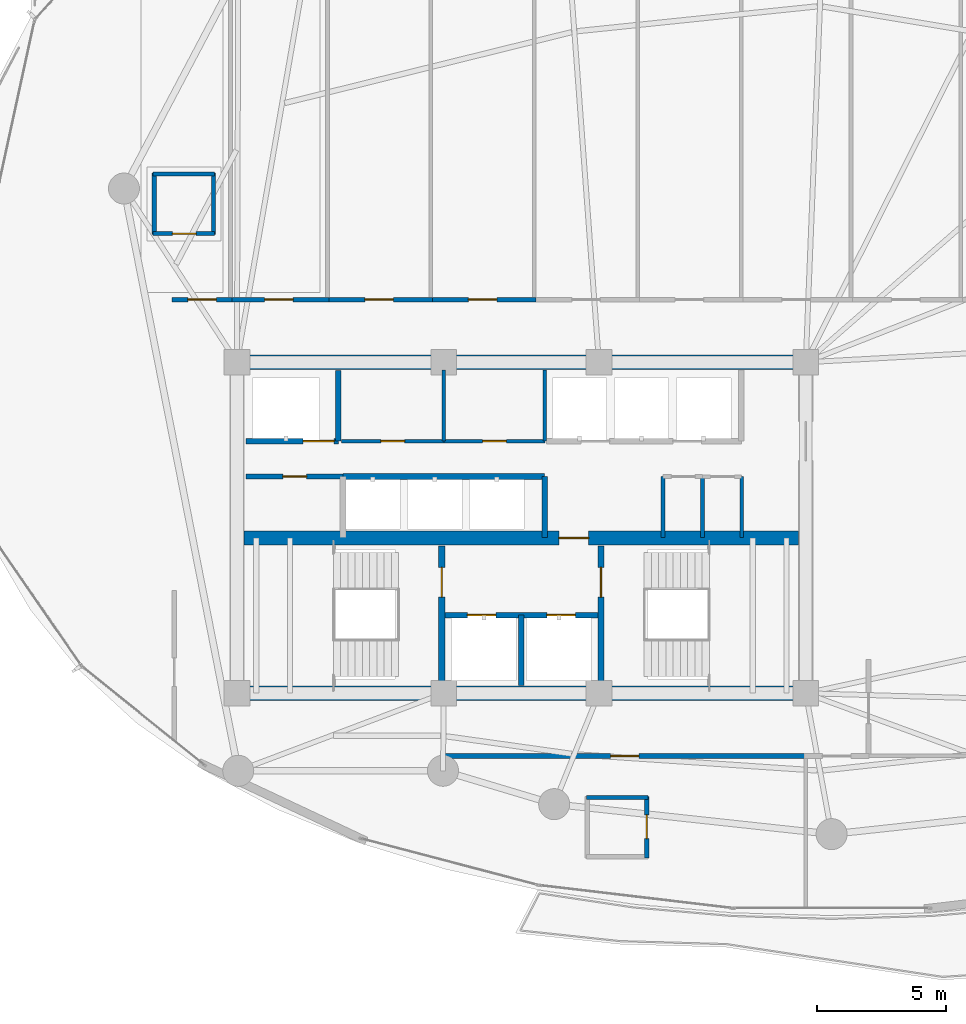
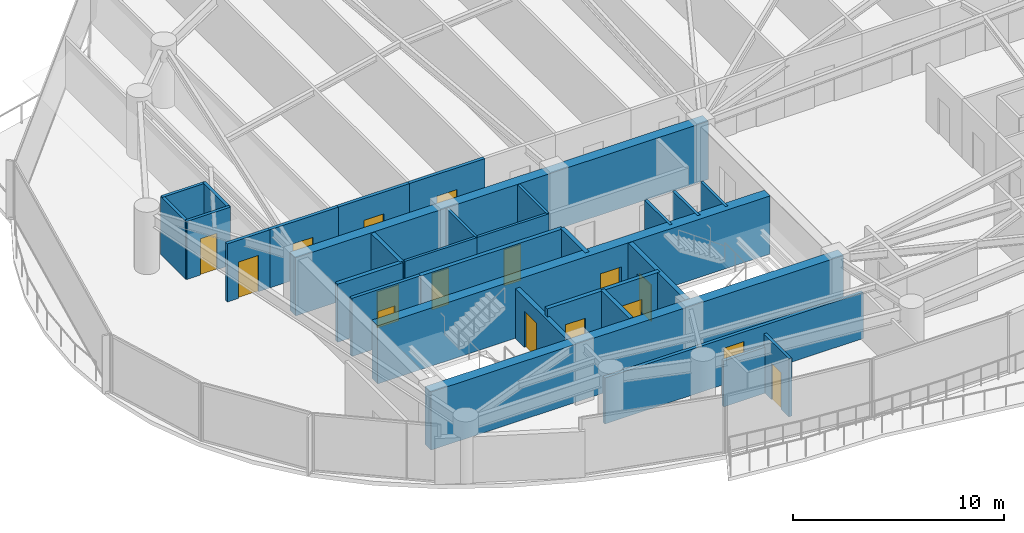
# One storey, part 26 of 34: 30 walls, 16 doors, 16 openings.
"""IFC4 building model written with IfcOpenShell, lengths in metres."""

from ifc_helpers import new_model, si_unit, direction, frame, frame_2d, origin, place, context, subcontext, project, spatial, rectangle, extrude, material, layer, layer_set, type_object, element, fill, save


model = new_model("IFC4")

# Units and contexts
model_context = context("Model", 3, precision=1e-05, world=origin(), true_north=direction((0.0, 1.0)))
body_context = subcontext(model_context, "Body", "Model", "MODEL_VIEW")
ifc_project = project(units=[si_unit("LENGTHUNIT", "METRE"), si_unit("AREAUNIT", "SQUARE_METRE"), si_unit("VOLUMEUNIT", "CUBIC_METRE"), si_unit("PLANEANGLEUNIT", "RADIAN"), si_unit("MASSUNIT", "GRAM", prefix="KILO")], contexts=[model_context])

# Site, building, storey
site_placement = place(None, origin())
site = spatial("IfcSite", under=ifc_project, at=site_placement, CompositionType="ELEMENT")
building_placement = place(site_placement, origin())
building = spatial("IfcBuilding", under=site, at=building_placement, Name="Kazevale Care Tower and Concert Hall", CompositionType="ELEMENT")
storey_placement = place(building_placement, frame((0.0, 0.0, 163.800048828125)))
storey = spatial("IfcBuildingStorey", under=building, at=storey_placement, Name="L43", CompositionType="ELEMENT", Elevation=163.800048828125)

# Wall, opening, door
ifc_material_1 = material(Name="Acoustic Gypsum on Steel Stud", Category="steel")
ifc_layer_1 = layer(ifc_material_1, 0.139892578125)
ifc_layer_set_1 = layer_set([ifc_layer_1], Name="Acoustic Gypsum on Steel Stud")
wall_type_1 = type_object("IfcWallType", Name="Acoustic Care & Suite Partition 140", PredefinedType="PARTITIONING", material=ifc_layer_set_1)
wall_1_placement = place(storey_placement, frame((26.050048828125, 33.35009765625, 0.0), z_axis=(0.0, 0.0, 1.0), x_axis=(1.0, 0.0, 0.0)))
wall_1 = element("IfcWall", 1, at=wall_1_placement, inside=storey, type_object=wall_type_1, Name="wall:L43:c_rpl1_s", PredefinedType="PARTITIONING", context=body_context, shape_type="SweptSolid", body=[
    extrude(rectangle(XDim=3.949951171875, YDim=0.139892578125, at=frame_2d((1.97509765625, 0.0))), origin(), (0.0, 0.0, 1.0), 3.35986328125),
])
opening_1_placement = place(wall_1_placement, frame((1.514892578125, 0.0, 0.0)))
opening_1 = element("IfcOpeningElement", 2, at=opening_1_placement, cuts=wall_1, Name="Opening ID-900", PredefinedType="OPENING", context=body_context, shape_type="SweptSolid", body=[
    extrude(rectangle(XDim=0.919921875, YDim=2.10009765625, at=frame_2d((0.4599609375, 1.050048828125))), frame((0.0, 0.079833984375, 0.0), z_axis=(0.0, -1.0, 0.0), x_axis=(1.0, 0.0, 0.0)), (0.0, 0.0, 1.0), 0.159912109375),
])
ifc_material_2 = material(Name="Oak Timber Fire Leaf", Category="wood")
door_type_1 = type_object("IfcDoorType", Name="Bathroom & Service Door 920x2100", OperationType="NOTDEFINED", PredefinedType="DOOR", material=ifc_material_2)
door_1_placement = place(opening_1_placement, origin())
door_1 = element("IfcDoor", 3, at=door_1_placement, inside=storey, type_object=door_type_1, Name="door:L43:d_rpl1", OperationType="SINGLE_SWING_LEFT", OverallHeight=2.10009765625, OverallWidth=0.919921875, PredefinedType="DOOR", context=body_context, shape_type="SweptSolid", body=[
    extrude(rectangle(XDim=0.919921875, YDim=2.10009765625, at=frame_2d((0.4599609375, 1.050048828125))), frame((0.0, 0.02490234375, 0.0), z_axis=(0.0, -1.0, 0.0), x_axis=(1.0, 0.0, 0.0)), (0.0, 0.0, 1.0), 0.050048828125),
])
fill(opening_1, door_1)

wall_2_placement = place(storey_placement, frame((30.0, 33.35009765625, 0.0), z_axis=(0.0, 0.0, 1.0), x_axis=(1.0, 0.0, 0.0)))
wall_2 = element("IfcWall", 4, at=wall_2_placement, inside=storey, type_object=wall_type_1, Name="wall:L43:c_rpl2_s", PredefinedType="PARTITIONING", context=body_context, shape_type="SweptSolid", body=[
    extrude(rectangle(XDim=3.919921875, YDim=0.139892578125, at=frame_2d((1.9599609375, 0.0))), origin(), (0.0, 0.0, 1.0), 3.35986328125),
])
opening_2_placement = place(wall_2_placement, frame((1.5, 0.0, 0.0)))
opening_2 = element("IfcOpeningElement", 5, at=opening_2_placement, cuts=wall_2, Name="Opening ID-900", PredefinedType="OPENING", context=body_context, shape_type="SweptSolid", body=[
    extrude(rectangle(XDim=0.919921875, YDim=2.10009765625, at=frame_2d((0.4599609375, 1.050048828125))), frame((0.0, 0.079833984375, 0.0), z_axis=(0.0, -1.0, 0.0), x_axis=(1.0, 0.0, 0.0)), (0.0, 0.0, 1.0), 0.159912109375),
])
door_2_placement = place(opening_2_placement, origin())
door_2 = element("IfcDoor", 6, at=door_2_placement, inside=storey, type_object=door_type_1, Name="door:L43:d_rpl2", OperationType="SINGLE_SWING_RIGHT", OverallHeight=2.10009765625, OverallWidth=0.919921875, PredefinedType="DOOR", context=body_context, shape_type="SweptSolid", body=[
    extrude(rectangle(XDim=0.919921875, YDim=2.10009765625, at=frame_2d((0.4599609375, 1.050048828125))), frame((0.0, 0.02490234375, 0.0), z_axis=(0.0, -1.0, 0.0), x_axis=(1.0, 0.0, 0.0)), (0.0, 0.0, 1.0), 0.050048828125),
])
fill(opening_2, door_2)

# Walls
for number, where, z_axis, x_axis, name in (
    (7, (30.0, 33.35009765625, 0.0), (0.0, 0.0, 1.0), (0.0, 1.0, 0.0), "wall:L43:c_rpl_m"),
    (8, (33.89990234375, 33.35009765625, 0.0), (0.0, 0.0, 1.0), (0.0, 1.0, 0.0), "wall:L43:c_rpl_e"),
):
    element("IfcWall", number, at=place(storey_placement, frame(where, z_axis=z_axis, x_axis=x_axis)), inside=storey, type_object=wall_type_1, Name=name, PredefinedType="PARTITIONING", context=body_context, shape_type="SweptSolid", body=[
        extrude(rectangle(XDim=2.75, YDim=0.139892578125, at=frame_2d((1.375, 0.0))), origin(), (0.0, 0.0, 1.0), 3.35986328125),
    ])
wall_3_placement = place(storey_placement, frame((41.52001953125, 29.6201171875, 0.0), z_axis=(0.0, 0.0, 1.0), x_axis=(0.0, 1.0, 0.0)))
element("IfcWall", 9, at=wall_3_placement, inside=storey, type_object=wall_type_1, Name="wall:L43:ka_ee", PredefinedType="PARTITIONING", context=body_context, shape_type="SweptSolid", body=[
    extrude(rectangle(XDim=2.35986328125, YDim=0.139892578125, at=frame_2d((1.179931640625, 0.0))), origin(), (0.0, 0.0, 1.0), 3.35986328125),
])
ifc_material_3 = material(Name="Concrete C60", Category="concrete")
ifc_layer_2 = layer(ifc_material_3, 0.550048828125)
ifc_layer_set_2 = layer_set([ifc_layer_2], Name="Concrete C60")
wall_type_2 = type_object("IfcWallType", Name="Core Shear Wall 550 C60", PredefinedType="SHEAR", material=ifc_layer_set_2)
for number, where, z_axis, x_axis, name in (
    (10, (21.72509765625, 23.60009765625, 0.0), (0.0, 0.0, 1.0), (1.0, 0.0, 0.0), "wall:L43:core:S"),
    (11, (21.72509765625, 36.39990234375, 0.0), (0.0, 0.0, 1.0), (1.0, 0.0, 0.0), "wall:L43:core:N"),
):
    element("IfcWall", number, at=place(storey_placement, frame(where, z_axis=z_axis, x_axis=x_axis)), inside=storey, type_object=wall_type_2, Name=name, PredefinedType="SHEAR", context=body_context, shape_type="SweptSolid", body=[
        extrude(rectangle(XDim=22.5498046875, YDim=0.550048828125, at=frame_2d((11.27490234375, 0.0))), origin(), (0.0, 0.0, 1.0), 3.35986328125),
    ])

# Wall, opening, door
wall_4_placement = place(storey_placement, frame((22.27490234375, 29.60009765625, 0.0), z_axis=(0.0, 0.0, 1.0), x_axis=(1.0, 0.0, 0.0)))
wall_4 = element("IfcWall", 12, at=wall_4_placement, inside=storey, type_object=wall_type_2, Name="wall:L43:core:M", PredefinedType="SHEAR", context=body_context, shape_type="SweptSolid", body=[
    extrude(rectangle(XDim=21.4501953125, YDim=0.550048828125, at=frame_2d((10.72509765625, 0.0))), origin(), (0.0, 0.0, 1.0), 3.35986328125),
])
opening_3_placement = place(wall_4_placement, frame((12.175048828125, 0.0, 0.0)))
opening_3 = element("IfcOpeningElement", 13, at=opening_3_placement, cuts=wall_4, Name="Opening FD-90", PredefinedType="OPENING", context=body_context, shape_type="SweptSolid", body=[
    extrude(rectangle(XDim=1.14990234375, YDim=2.10009765625, at=frame_2d((0.574951171875, 1.050048828125))), frame((0.0, 0.284912109375, 0.0), z_axis=(0.0, -1.0, 0.0), x_axis=(1.0, 0.0, 0.0)), (0.0, 0.0, 1.0), 0.570068359375),
])
ifc_material_4 = material(Name="Steel ASTM A572 Gr 50", Category="steel")
door_type_2 = type_object("IfcDoorType", Name="Pressurized Stair & Lobby Fire Door 1150x2100", OperationType="NOTDEFINED", PredefinedType="DOOR", material=ifc_material_4)
door_3_placement = place(opening_3_placement, origin())
door_3 = element("IfcDoor", 14, at=door_3_placement, inside=storey, type_object=door_type_2, Name="door:L43:ff_to_pax", OperationType="SINGLE_SWING_LEFT", OverallHeight=2.10009765625, OverallWidth=1.14990234375, PredefinedType="DOOR", context=body_context, shape_type="SweptSolid", body=[
    extrude(rectangle(XDim=1.14990234375, YDim=2.10009765625, at=frame_2d((0.574951171875, 1.050048828125))), frame((0.0, 0.02490234375, 0.0), z_axis=(0.0, -1.0, 0.0), x_axis=(1.0, 0.0, 0.0)), (0.0, 0.0, 1.0), 0.050048828125),
])
fill(opening_3, door_3)

# Wall, openings, doors
ifc_material_5 = material(Name="Concrete C40", Category="concrete")
ifc_layer_3 = layer(ifc_material_5, 0.219970703125)
ifc_layer_set_3 = layer_set([ifc_layer_3], Name="Concrete C40")
wall_type_3 = type_object("IfcWallType", Name="Elevator Hoistway Shaft Wall 220", PredefinedType="SOLIDWALL", material=ifc_layer_set_3)
wall_5_placement = place(storey_placement, frame((29.919921875, 26.6201171875, 0.0), z_axis=(0.0, 0.0, 1.0), x_axis=(1.0, 0.0, 0.0)))
wall_5 = element("IfcWall", 15, at=wall_5_placement, inside=storey, type_object=wall_type_3, Name="wall:L43:c_ffl_n", PredefinedType="SOLIDWALL", context=body_context, shape_type="SweptSolid", body=[
    extrude(rectangle(XDim=6.16015625, YDim=0.219970703125, at=frame_2d((3.080078125, 0.0))), origin(), (0.0, 0.0, 1.0), 3.35986328125),
])
opening_4_placement = place(wall_5_placement, frame((0.989990234375, 0.0, 0.0)))
opening_4 = element("IfcOpeningElement", 16, at=opening_4_placement, cuts=wall_5, Name="Opening LD-FF", PredefinedType="OPENING", context=body_context, shape_type="SweptSolid", body=[
    extrude(rectangle(XDim=1.10009765625, YDim=2.10009765625, at=frame_2d((0.550048828125, 1.050048828125))), frame((0.0, 0.119873046875, 0.0), z_axis=(0.0, -1.0, 0.0), x_axis=(1.0, 0.0, 0.0)), (0.0, 0.0, 1.0), 0.239990234375),
])
opening_5_placement = place(wall_5_placement, frame((4.070068359375, 0.0, 0.0)))
opening_5 = element("IfcOpeningElement", 17, at=opening_5_placement, cuts=wall_5, Name="Opening LD-FF", PredefinedType="OPENING", context=body_context, shape_type="SweptSolid", body=[
    extrude(rectangle(XDim=1.10009765625, YDim=2.10009765625, at=frame_2d((0.550048828125, 1.050048828125))), frame((0.0, 0.119873046875, 0.0), z_axis=(0.0, -1.0, 0.0), x_axis=(1.0, 0.0, 0.0)), (0.0, 0.0, 1.0), 0.239990234375),
])
ifc_material_6 = material(Name="Stainless Steel 316", Category="steel")
door_type_3 = type_object("IfcDoorType", Name="Emergency Lift Sliding Landing Door 1100x2100", OperationType="NOTDEFINED", PredefinedType="DOOR", material=ifc_material_6)
door_4_placement = place(opening_4_placement, origin())
door_4 = element("IfcDoor", 18, at=door_4_placement, inside=storey, type_object=door_type_3, Name="door:L43:ld_ffl1", OperationType="SLIDING_TO_LEFT", OverallHeight=2.10009765625, OverallWidth=1.10009765625, PredefinedType="DOOR", context=body_context, shape_type="SweptSolid", body=[
    extrude(rectangle(XDim=1.10009765625, YDim=2.10009765625, at=frame_2d((0.550048828125, 1.050048828125))), frame((0.0, 0.02490234375, 0.0), z_axis=(0.0, -1.0, 0.0), x_axis=(1.0, 0.0, 0.0)), (0.0, 0.0, 1.0), 0.050048828125),
])
fill(opening_4, door_4)
door_5_placement = place(opening_5_placement, origin())
door_5 = element("IfcDoor", 19, at=door_5_placement, inside=storey, type_object=door_type_3, Name="door:L43:ld_ffl2", OperationType="SLIDING_TO_RIGHT", OverallHeight=2.10009765625, OverallWidth=1.10009765625, PredefinedType="DOOR", context=body_context, shape_type="SweptSolid", body=[
    extrude(rectangle(XDim=1.10009765625, YDim=2.10009765625, at=frame_2d((0.550048828125, 1.050048828125))), frame((0.0, 0.02490234375, 0.0), z_axis=(0.0, -1.0, 0.0), x_axis=(1.0, 0.0, 0.0)), (0.0, 0.0, 1.0), 0.050048828125),
])
fill(opening_5, door_5)

# Walls
wall_6_placement = place(storey_placement, frame((33.0, 23.89990234375, 0.0), z_axis=(0.0, 0.0, 1.0), x_axis=(0.0, 1.0, 0.0)))
element("IfcWall", 20, at=wall_6_placement, inside=storey, type_object=wall_type_3, Name="wall:L43:c_ffl_m", PredefinedType="SOLIDWALL", context=body_context, shape_type="SweptSolid", body=[
    extrude(rectangle(XDim=2.72021484375, YDim=0.219970703125, at=frame_2d((1.360107421875, 0.0))), origin(), (0.0, 0.0, 1.0), 3.35986328125),
])
wall_7_placement = place(storey_placement, frame((25.919921875, 33.35009765625, 0.0), z_axis=(0.0, 0.0, 1.0), x_axis=(0.0, 1.0, 0.0)))
element("IfcWall", 21, at=wall_7_placement, inside=storey, type_object=wall_type_3, Name="wall:L43:c_svl_e", PredefinedType="SOLIDWALL", context=body_context, shape_type="SweptSolid", body=[
    extrude(rectangle(XDim=2.72998046875, YDim=0.219970703125, at=frame_2d((1.364990234375, 0.0))), origin(), (0.0, 0.0, 1.0), 3.35986328125),
])

# Wall, opening, door
wall_8_placement = place(storey_placement, frame((22.35009765625, 33.35009765625, 0.0), z_axis=(0.0, 0.0, 1.0), x_axis=(1.0, 0.0, 0.0)))
wall_8 = element("IfcWall", 22, at=wall_8_placement, inside=storey, type_object=wall_type_3, Name="wall:L43:c_svl_s", PredefinedType="SOLIDWALL", context=body_context, shape_type="SweptSolid", body=[
    extrude(rectangle(XDim=3.56982421875, YDim=0.219970703125, at=frame_2d((1.784912109375, 0.0))), origin(), (0.0, 0.0, 1.0), 3.35986328125),
])
opening_6_placement = place(wall_8_placement, frame((2.212890625, 0.0, 0.0)))
opening_6 = element("IfcOpeningElement", 23, at=opening_6_placement, cuts=wall_8, Name="Opening LD-SV", PredefinedType="OPENING", context=body_context, shape_type="SweptSolid", body=[
    extrude(rectangle(XDim=1.199951171875, YDim=2.10009765625, at=frame_2d((0.60009765625, 1.050048828125))), frame((0.0, 0.119873046875, 0.0), z_axis=(0.0, -1.0, 0.0), x_axis=(1.0, 0.0, 0.0)), (0.0, 0.0, 1.0), 0.239990234375),
])
door_type_4 = type_object("IfcDoorType", Name="Service Lift Sliding Landing Door 1200x2100", OperationType="NOTDEFINED", PredefinedType="DOOR", material=ifc_material_6)
door_6_placement = place(opening_6_placement, origin())
door_6 = element("IfcDoor", 24, at=door_6_placement, inside=storey, type_object=door_type_4, Name="door:L43:ld_svl1", OperationType="SLIDING_TO_LEFT", OverallHeight=2.10009765625, OverallWidth=1.199951171875, PredefinedType="DOOR", context=body_context, shape_type="SweptSolid", body=[
    extrude(rectangle(XDim=1.199951171875, YDim=2.10009765625, at=frame_2d((0.60009765625, 1.050048828125))), frame((0.0, 0.02490234375, 0.0), z_axis=(0.0, -1.0, 0.0), x_axis=(1.0, 0.0, 0.0)), (0.0, 0.0, 1.0), 0.050048828125),
])
fill(opening_6, door_6)

# Walls
wall_9_placement = place(storey_placement, frame((26.10009765625, 31.97998046875, 0.0), z_axis=(0.0, 0.0, 1.0), x_axis=(1.0, 0.0, 0.0)))
element("IfcWall", 25, at=wall_9_placement, inside=storey, type_object=wall_type_3, Name="wall:L43:c_ph_n", PredefinedType="SOLIDWALL", context=body_context, shape_type="SweptSolid", body=[
    extrude(rectangle(XDim=7.7998046875, YDim=0.219970703125, at=frame_2d((3.89990234375, 0.0))), origin(), (0.0, 0.0, 1.0), 3.35986328125),
])
wall_10_placement = place(storey_placement, frame((33.89990234375, 29.6201171875, 0.0), z_axis=(0.0, 0.0, 1.0), x_axis=(0.0, 1.0, 0.0)))
element("IfcWall", 26, at=wall_10_placement, inside=storey, type_object=wall_type_3, Name="wall:L43:c_ph_e", PredefinedType="SOLIDWALL", context=body_context, shape_type="SweptSolid", body=[
    extrude(rectangle(XDim=2.35986328125, YDim=0.219970703125, at=frame_2d((1.179931640625, 0.0))), origin(), (0.0, 0.0, 1.0), 3.35986328125),
])

# Wall, opening, door
ifc_material_7 = material(Name="Concrete C40 and Acoustic Gypsum", Category="concrete")
ifc_layer_4 = layer(ifc_material_7, 0.179931640625)
ifc_layer_set_4 = layer_set([ifc_layer_4], Name="Concrete C40 and Acoustic Gypsum")
wall_type_4 = type_object("IfcWallType", Name="Fire-Rated Corridor & Party Wall 180", PredefinedType="PARTITIONING", material=ifc_layer_set_4)
wall_11_placement = place(storey_placement, frame((22.35009765625, 31.97998046875, 0.0), z_axis=(0.0, 0.0, 1.0), x_axis=(1.0, 0.0, 0.0)))
wall_11 = element("IfcWall", 27, at=wall_11_placement, inside=storey, type_object=wall_type_4, Name="wall:L43:ka_wn1", PredefinedType="PARTITIONING", context=body_context, shape_type="SweptSolid", body=[
    extrude(rectangle(XDim=3.75, YDim=0.179931640625, at=frame_2d((1.875, 0.0))), origin(), (0.0, 0.0, 1.0), 3.35986328125),
])
opening_7_placement = place(wall_11_placement, frame((1.425048828125, 0.0, 0.0)))
opening_7 = element("IfcOpeningElement", 28, at=opening_7_placement, cuts=wall_11, Name="Opening ID-900", PredefinedType="OPENING", context=body_context, shape_type="SweptSolid", body=[
    extrude(rectangle(XDim=0.919921875, YDim=2.10009765625, at=frame_2d((0.4599609375, 1.050048828125))), frame((0.0, 0.099853515625, 0.0), z_axis=(0.0, -1.0, 0.0), x_axis=(1.0, 0.0, 0.0)), (0.0, 0.0, 1.0), 0.199951171875),
])
door_7_placement = place(opening_7_placement, origin())
door_7 = element("IfcDoor", 29, at=door_7_placement, inside=storey, type_object=door_type_1, Name="door:L43:d_kaw", OperationType="SINGLE_SWING_LEFT", OverallHeight=2.10009765625, OverallWidth=0.919921875, PredefinedType="DOOR", context=body_context, shape_type="SweptSolid", body=[
    extrude(rectangle(XDim=0.919921875, YDim=2.10009765625, at=frame_2d((0.4599609375, 1.050048828125))), frame((0.0, 0.02490234375, 0.0), z_axis=(0.0, -1.0, 0.0), x_axis=(1.0, 0.0, 0.0)), (0.0, 0.0, 1.0), 0.050048828125),
])
fill(opening_7, door_7)

wall_12_placement = place(storey_placement, frame((19.4951171875, 38.824951171875, 0.0), z_axis=(0.0, 0.0, 1.0), x_axis=(1.0, 0.0, 0.0)))
wall_12 = element("IfcWall", 30, at=wall_12_placement, inside=storey, type_object=wall_type_4, Name="wall:L43:auto_001", PredefinedType="PARTITIONING", context=body_context, shape_type="SweptSolid", body=[
    extrude(rectangle(XDim=2.31982421875, YDim=0.179931640625, at=frame_2d((1.159912109375, 0.0))), origin(), (0.0, 0.0, 1.0), 3.35986328125),
])
opening_8_placement = place(wall_12_placement, frame((0.610107421875, 0.0, 0.0)))
opening_8 = element("IfcOpeningElement", 31, at=opening_8_placement, cuts=wall_12, Name="Opening ID-1100", PredefinedType="OPENING", context=body_context, shape_type="SweptSolid", body=[
    extrude(rectangle(XDim=1.10009765625, YDim=2.10009765625, at=frame_2d((0.550048828125, 1.050048828125))), frame((0.0, 0.099853515625, 0.0), z_axis=(0.0, -1.0, 0.0), x_axis=(1.0, 0.0, 0.0)), (0.0, 0.0, 1.0), 0.199951171875),
])
door_type_5 = type_object("IfcDoorType", Name="Care Bedroom Accessible Door 1100x2100", OperationType="NOTDEFINED", PredefinedType="DOOR", material=ifc_material_2)
door_8_placement = place(opening_8_placement, origin())
door_8 = element("IfcDoor", 32, at=door_8_placement, inside=storey, type_object=door_type_5, Name="door:L43:ad_001", OperationType="SINGLE_SWING_LEFT", OverallHeight=2.10009765625, OverallWidth=1.10009765625, PredefinedType="DOOR", context=body_context, shape_type="SweptSolid", body=[
    extrude(rectangle(XDim=1.10009765625, YDim=2.10009765625, at=frame_2d((0.550048828125, 1.050048828125))), frame((0.0, 0.02490234375, 0.0), z_axis=(0.0, -1.0, 0.0), x_axis=(1.0, 0.0, 0.0)), (0.0, 0.0, 1.0), 0.050048828125),
])
fill(opening_8, door_8)

wall_13_placement = place(storey_placement, frame((21.68505859375, 38.824951171875, 0.0), z_axis=(0.0, 0.0, 1.0), x_axis=(1.0, 0.0, 0.0)))
wall_13 = element("IfcWall", 33, at=wall_13_placement, inside=storey, type_object=wall_type_4, Name="wall:L43:auto_002", PredefinedType="PARTITIONING", context=body_context, shape_type="SweptSolid", body=[
    extrude(rectangle(XDim=3.8798828125, YDim=0.179931640625, at=frame_2d((1.93994140625, 0.0))), origin(), (0.0, 0.0, 1.0), 3.35986328125),
])
opening_9_placement = place(wall_13_placement, frame((1.389892578125, 0.0, 0.0)))
opening_9 = element("IfcOpeningElement", 34, at=opening_9_placement, cuts=wall_13, Name="Opening ID-1100", PredefinedType="OPENING", context=body_context, shape_type="SweptSolid", body=[
    extrude(rectangle(XDim=1.10009765625, YDim=2.10009765625, at=frame_2d((0.550048828125, 1.050048828125))), frame((0.0, 0.099853515625, 0.0), z_axis=(0.0, -1.0, 0.0), x_axis=(1.0, 0.0, 0.0)), (0.0, 0.0, 1.0), 0.199951171875),
])
door_9_placement = place(opening_9_placement, origin())
door_9 = element("IfcDoor", 35, at=door_9_placement, inside=storey, type_object=door_type_5, Name="door:L43:ad_002", OperationType="SINGLE_SWING_LEFT", OverallHeight=2.10009765625, OverallWidth=1.10009765625, PredefinedType="DOOR", context=body_context, shape_type="SweptSolid", body=[
    extrude(rectangle(XDim=1.10009765625, YDim=2.10009765625, at=frame_2d((0.550048828125, 1.050048828125))), frame((0.0, 0.02490234375, 0.0), z_axis=(0.0, -1.0, 0.0), x_axis=(1.0, 0.0, 0.0)), (0.0, 0.0, 1.0), 0.050048828125),
])
fill(opening_9, door_9)

wall_14_placement = place(storey_placement, frame((25.43505859375, 38.824951171875, 0.0), z_axis=(0.0, 0.0, 1.0), x_axis=(1.0, 0.0, 0.0)))
wall_14 = element("IfcWall", 36, at=wall_14_placement, inside=storey, type_object=wall_type_4, Name="wall:L43:auto_003", PredefinedType="PARTITIONING", context=body_context, shape_type="SweptSolid", body=[
    extrude(rectangle(XDim=4.1298828125, YDim=0.179931640625, at=frame_2d((2.06494140625, 0.0))), origin(), (0.0, 0.0, 1.0), 3.35986328125),
])
opening_10_placement = place(wall_14_placement, frame((1.514892578125, 0.0, 0.0)))
opening_10 = element("IfcOpeningElement", 37, at=opening_10_placement, cuts=wall_14, Name="Opening ID-1100", PredefinedType="OPENING", context=body_context, shape_type="SweptSolid", body=[
    extrude(rectangle(XDim=1.10009765625, YDim=2.10009765625, at=frame_2d((0.550048828125, 1.050048828125))), frame((0.0, 0.099853515625, 0.0), z_axis=(0.0, -1.0, 0.0), x_axis=(1.0, 0.0, 0.0)), (0.0, 0.0, 1.0), 0.199951171875),
])
door_10_placement = place(opening_10_placement, origin())
door_10 = element("IfcDoor", 38, at=door_10_placement, inside=storey, type_object=door_type_5, Name="door:L43:ad_003", OperationType="SINGLE_SWING_LEFT", OverallHeight=2.10009765625, OverallWidth=1.10009765625, PredefinedType="DOOR", context=body_context, shape_type="SweptSolid", body=[
    extrude(rectangle(XDim=1.10009765625, YDim=2.10009765625, at=frame_2d((0.550048828125, 1.050048828125))), frame((0.0, 0.02490234375, 0.0), z_axis=(0.0, -1.0, 0.0), x_axis=(1.0, 0.0, 0.0)), (0.0, 0.0, 1.0), 0.050048828125),
])
fill(opening_10, door_10)

wall_15_placement = place(storey_placement, frame((29.43505859375, 38.824951171875, 0.0), z_axis=(0.0, 0.0, 1.0), x_axis=(1.0, 0.0, 0.0)))
wall_15 = element("IfcWall", 39, at=wall_15_placement, inside=storey, type_object=wall_type_4, Name="wall:L43:auto_004", PredefinedType="PARTITIONING", context=body_context, shape_type="SweptSolid", body=[
    extrude(rectangle(XDim=4.1298828125, YDim=0.179931640625, at=frame_2d((2.06494140625, 0.0))), origin(), (0.0, 0.0, 1.0), 3.35986328125),
])
opening_11_placement = place(wall_15_placement, frame((1.514892578125, 0.0, 0.0)))
opening_11 = element("IfcOpeningElement", 40, at=opening_11_placement, cuts=wall_15, Name="Opening ID-1100", PredefinedType="OPENING", context=body_context, shape_type="SweptSolid", body=[
    extrude(rectangle(XDim=1.10009765625, YDim=2.10009765625, at=frame_2d((0.550048828125, 1.050048828125))), frame((0.0, 0.099853515625, 0.0), z_axis=(0.0, -1.0, 0.0), x_axis=(1.0, 0.0, 0.0)), (0.0, 0.0, 1.0), 0.199951171875),
])
door_11_placement = place(opening_11_placement, origin())
door_11 = element("IfcDoor", 41, at=door_11_placement, inside=storey, type_object=door_type_5, Name="door:L43:ad_004", OperationType="SINGLE_SWING_LEFT", OverallHeight=2.10009765625, OverallWidth=1.10009765625, PredefinedType="DOOR", context=body_context, shape_type="SweptSolid", body=[
    extrude(rectangle(XDim=1.10009765625, YDim=2.10009765625, at=frame_2d((0.550048828125, 1.050048828125))), frame((0.0, 0.02490234375, 0.0), z_axis=(0.0, -1.0, 0.0), x_axis=(1.0, 0.0, 0.0)), (0.0, 0.0, 1.0), 0.050048828125),
])
fill(opening_11, door_11)

wall_16_placement = place(storey_placement, frame((44.06494140625, 21.175048828125, 0.0), z_axis=(0.0, 0.0, 1.0), x_axis=(-1.0, 0.0, 0.0)))
wall_16 = element("IfcWall", 42, at=wall_16_placement, inside=storey, type_object=wall_type_4, Name="wall:L43:auto_021", PredefinedType="PARTITIONING", context=body_context, shape_type="SweptSolid", body=[
    extrude(rectangle(XDim=14.1298828125, YDim=0.179931640625, at=frame_2d((7.06494140625, 0.0))), origin(), (0.0, 0.0, 1.0), 2.656982421875),
])
opening_12_placement = place(wall_16_placement, frame((6.514892578125, 0.0, 0.0)))
opening_12 = element("IfcOpeningElement", 43, at=opening_12_placement, cuts=wall_16, Name="Opening ID-1100", PredefinedType="OPENING", context=body_context, shape_type="SweptSolid", body=[
    extrude(rectangle(XDim=1.10009765625, YDim=2.10009765625, at=frame_2d((0.550048828125, 1.050048828125))), frame((0.0, 0.099853515625, 0.0), z_axis=(0.0, -1.0, 0.0), x_axis=(1.0, 0.0, 0.0)), (0.0, 0.0, 1.0), 0.199951171875),
])
door_12_placement = place(opening_12_placement, origin())
door_12 = element("IfcDoor", 44, at=door_12_placement, inside=storey, type_object=door_type_5, Name="door:L43:ad_021", OperationType="SINGLE_SWING_LEFT", OverallHeight=2.10009765625, OverallWidth=1.10009765625, PredefinedType="DOOR", context=body_context, shape_type="SweptSolid", body=[
    extrude(rectangle(XDim=1.10009765625, YDim=2.10009765625, at=frame_2d((0.550048828125, 1.050048828125))), frame((0.0, 0.02490234375, 0.0), z_axis=(0.0, -1.0, 0.0), x_axis=(1.0, 0.0, 0.0)), (0.0, 0.0, 1.0), 0.050048828125),
])
fill(opening_12, door_12)

# Walls
ifc_layer_5 = layer(ifc_material_1, 0.159912109375)
ifc_layer_set_5 = layer_set([ifc_layer_5], Name="Acoustic Gypsum on Steel Stud")
wall_type_5 = type_object("IfcWallType", Name="Moisture-Resistant Bathroom Plumbing Wall 160", PredefinedType="PLUMBINGWALL", material=ifc_layer_set_5)
for number, where, z_axis, x_axis, name in (
    (45, (38.47998046875, 29.6201171875, 0.0), (0.0, 0.0, 1.0), (0.0, 1.0, 0.0), "wall:L43:ka_ew"),
    (46, (40.0, 29.6201171875, 0.0), (0.0, 0.0, 1.0), (0.0, 1.0, 0.0), "wall:L43:ka_em"),
):
    element("IfcWall", number, at=place(storey_placement, frame(where, z_axis=z_axis, x_axis=x_axis)), inside=storey, type_object=wall_type_5, Name=name, PredefinedType="PLUMBINGWALL", context=body_context, shape_type="SweptSolid", body=[
        extrude(rectangle(XDim=2.35986328125, YDim=0.159912109375, at=frame_2d((1.179931640625, 0.0))), origin(), (0.0, 0.0, 1.0), 3.35986328125),
    ])

# Wall, opening, door
wall_17_placement = place(storey_placement, frame((18.760009765625, 41.375, 0.0), z_axis=(0.0, 0.0, 1.0), x_axis=(1.0, 0.0, 0.0)))
wall_17 = element("IfcWall", 47, at=wall_17_placement, inside=storey, type_object=wall_type_5, Name="wall:L43:nb2a_ens_ws", PredefinedType="PLUMBINGWALL", context=body_context, shape_type="SweptSolid", body=[
    extrude(rectangle(XDim=2.3798828125, YDim=0.159912109375, at=frame_2d((1.18994140625, 0.0))), origin(), (0.0, 0.0, 1.0), 3.35986328125),
])
opening_13_placement = place(wall_17_placement, frame((0.739990234375, 0.0, 0.0)))
opening_13 = element("IfcOpeningElement", 48, at=opening_13_placement, cuts=wall_17, Name="Opening ID-900", PredefinedType="OPENING", context=body_context, shape_type="SweptSolid", body=[
    extrude(rectangle(XDim=0.919921875, YDim=2.10009765625, at=frame_2d((0.4599609375, 1.050048828125))), frame((0.0, 0.08984375, 0.0), z_axis=(0.0, -1.0, 0.0), x_axis=(1.0, 0.0, 0.0)), (0.0, 0.0, 1.0), 0.179931640625),
])
door_13_placement = place(opening_13_placement, origin())
door_13 = element("IfcDoor", 49, at=door_13_placement, inside=storey, type_object=door_type_1, Name="door:L43:nb2a_ens_d", OperationType="SINGLE_SWING_LEFT", OverallHeight=2.10009765625, OverallWidth=0.919921875, PredefinedType="DOOR", context=body_context, shape_type="SweptSolid", body=[
    extrude(rectangle(XDim=0.919921875, YDim=2.10009765625, at=frame_2d((0.4599609375, 1.050048828125))), frame((0.0, 0.02490234375, 0.0), z_axis=(0.0, -1.0, 0.0), x_axis=(1.0, 0.0, 0.0)), (0.0, 0.0, 1.0), 0.050048828125),
])
fill(opening_13, door_13)

# Walls
wall_18_placement = place(storey_placement, frame((18.760009765625, 43.675048828125, 0.0), z_axis=(0.0, 0.0, 1.0), x_axis=(1.0, 0.0, 0.0)))
element("IfcWall", 50, at=wall_18_placement, inside=storey, type_object=wall_type_5, Name="wall:L43:nb2a_ens_wn", PredefinedType="PLUMBINGWALL", context=body_context, shape_type="SweptSolid", body=[
    extrude(rectangle(XDim=2.3798828125, YDim=0.159912109375, at=frame_2d((1.18994140625, 0.0))), origin(), (0.0, 0.0, 1.0), 3.35986328125),
])
for number, where, z_axis, x_axis, name in (
    (51, (18.800048828125, 41.3349609375, 0.0), (0.0, 0.0, 1.0), (0.0, 1.0, 0.0), "wall:L43:nb2a_ens_ww"),
    (52, (21.10009765625, 41.3349609375, 0.0), (0.0, 0.0, 1.0), (0.0, 1.0, 0.0), "wall:L43:nb2a_ens_we"),
):
    element("IfcWall", number, at=place(storey_placement, frame(where, z_axis=z_axis, x_axis=x_axis)), inside=storey, type_object=wall_type_5, Name=name, PredefinedType="PLUMBINGWALL", context=body_context, shape_type="SweptSolid", body=[
        extrude(rectangle(XDim=2.380126953125, YDim=0.159912109375, at=frame_2d((1.18994140625, 0.0))), origin(), (0.0, 0.0, 1.0), 3.35986328125),
    ])
wall_19_placement = place(storey_placement, frame((35.510009765625, 19.573974609375, 0.0), z_axis=(0.0, 0.0, 1.0), x_axis=(1.0, 0.0, 0.0)))
element("IfcWall", 53, at=wall_19_placement, inside=storey, type_object=wall_type_5, Name="wall:L43:sb2_ens_wn", PredefinedType="PLUMBINGWALL", context=body_context, shape_type="SweptSolid", body=[
    extrude(rectangle(XDim=2.3798828125, YDim=0.159912109375, at=frame_2d((1.18994140625, 0.0))), origin(), (0.0, 0.0, 1.0), 2.656982421875),
])

# Wall, opening, door
wall_20_placement = place(storey_placement, frame((37.85009765625, 17.23388671875, 0.0), z_axis=(0.0, 0.0, 1.0), x_axis=(0.0, 1.0, 0.0)))
wall_20 = element("IfcWall", 54, at=wall_20_placement, inside=storey, type_object=wall_type_5, Name="wall:L43:sb2_ens_we", PredefinedType="PLUMBINGWALL", context=body_context, shape_type="SweptSolid", body=[
    extrude(rectangle(XDim=2.380126953125, YDim=0.159912109375, at=frame_2d((1.18994140625, 0.0))), origin(), (0.0, 0.0, 1.0), 3.35986328125),
])
opening_14_placement = place(wall_20_placement, frame((0.739990234375, 0.0, 0.0)))
opening_14 = element("IfcOpeningElement", 55, at=opening_14_placement, cuts=wall_20, Name="Opening ID-900", PredefinedType="OPENING", context=body_context, shape_type="SweptSolid", body=[
    extrude(rectangle(XDim=0.919921875, YDim=2.10009765625, at=frame_2d((0.4599609375, 1.050048828125))), frame((0.0, 0.08984375, 0.0), z_axis=(0.0, -1.0, 0.0), x_axis=(1.0, 0.0, 0.0)), (0.0, 0.0, 1.0), 0.179931640625),
])
door_14_placement = place(opening_14_placement, origin())
door_14 = element("IfcDoor", 56, at=door_14_placement, inside=storey, type_object=door_type_1, Name="door:L43:sb2_ens_d", OperationType="SINGLE_SWING_LEFT", OverallHeight=2.10009765625, OverallWidth=0.919921875, PredefinedType="DOOR", context=body_context, shape_type="SweptSolid", body=[
    extrude(rectangle(XDim=0.919921875, YDim=2.10009765625, at=frame_2d((0.4599609375, 1.050048828125))), frame((0.0, 0.02490234375, 0.0), z_axis=(0.0, -1.0, 0.0), x_axis=(1.0, 0.0, 0.0)), (0.0, 0.0, 1.0), 0.050048828125),
])
fill(opening_14, door_14)

ifc_layer_6 = layer(ifc_material_5, 0.25)
ifc_layer_set_6 = layer_set([ifc_layer_6], Name="Concrete C40")
wall_type_6 = type_object("IfcWallType", Name="Pressurized Stair Shaft Wall 250", PredefinedType="SOLIDWALL", material=ifc_layer_set_6)
wall_21_placement = place(storey_placement, frame((29.919921875, 23.89990234375, 0.0), z_axis=(0.0, 0.0, 1.0), x_axis=(0.0, 1.0, 0.0)))
wall_21 = element("IfcWall", 57, at=wall_21_placement, inside=storey, type_object=wall_type_6, Name="wall:L43:c_st1_e", PredefinedType="SOLIDWALL", context=body_context, shape_type="SweptSolid", body=[
    extrude(rectangle(XDim=5.400146484375, YDim=0.25, at=frame_2d((2.7001953125, 0.0))), origin(), (0.0, 0.0, 1.0), 2.889892578125),
])
opening_15_placement = place(wall_21_placement, frame((3.4208984375, 0.0, 0.0)))
opening_15 = element("IfcOpeningElement", 58, at=opening_15_placement, cuts=wall_21, Name="Opening FD-90", PredefinedType="OPENING", context=body_context, shape_type="SweptSolid", body=[
    extrude(rectangle(XDim=1.14990234375, YDim=2.10009765625, at=frame_2d((0.574951171875, 1.050048828125))), frame((0.0, 0.135009765625, 0.0), z_axis=(0.0, -1.0, 0.0), x_axis=(1.0, 0.0, 0.0)), (0.0, 0.0, 1.0), 0.27001953125),
])
door_15_placement = place(opening_15_placement, origin())
door_15 = element("IfcDoor", 59, at=door_15_placement, inside=storey, type_object=door_type_2, Name="door:L43:st1", OperationType="SINGLE_SWING_RIGHT", OverallHeight=2.10009765625, OverallWidth=1.14990234375, PredefinedType="DOOR", context=body_context, shape_type="SweptSolid", body=[
    extrude(rectangle(XDim=1.14990234375, YDim=2.10009765625, at=frame_2d((0.574951171875, 1.050048828125))), frame((0.0, 0.02490234375, 0.0), z_axis=(0.0, -1.0, 0.0), x_axis=(1.0, 0.0, 0.0)), (0.0, 0.0, 1.0), 0.050048828125),
])
fill(opening_15, door_15)

wall_22_placement = place(storey_placement, frame((36.080078125, 23.89990234375, 0.0), z_axis=(0.0, 0.0, 1.0), x_axis=(0.0, 1.0, 0.0)))
wall_22 = element("IfcWall", 60, at=wall_22_placement, inside=storey, type_object=wall_type_6, Name="wall:L43:c_st2_w", PredefinedType="SOLIDWALL", context=body_context, shape_type="SweptSolid", body=[
    extrude(rectangle(XDim=5.400146484375, YDim=0.25, at=frame_2d((2.7001953125, 0.0))), origin(), (0.0, 0.0, 1.0), 3.35986328125),
])
opening_16_placement = place(wall_22_placement, frame((3.4208984375, 0.0, 0.0)))
opening_16 = element("IfcOpeningElement", 61, at=opening_16_placement, cuts=wall_22, Name="Opening FD-90", PredefinedType="OPENING", context=body_context, shape_type="SweptSolid", body=[
    extrude(rectangle(XDim=1.14990234375, YDim=2.10009765625, at=frame_2d((0.574951171875, 1.050048828125))), frame((0.0, 0.135009765625, 0.0), z_axis=(0.0, -1.0, 0.0), x_axis=(1.0, 0.0, 0.0)), (0.0, 0.0, 1.0), 0.27001953125),
])
door_16_placement = place(opening_16_placement, origin())
door_16 = element("IfcDoor", 62, at=door_16_placement, inside=storey, type_object=door_type_2, Name="door:L43:st2", OperationType="SINGLE_SWING_LEFT", OverallHeight=2.10009765625, OverallWidth=1.14990234375, PredefinedType="DOOR", context=body_context, shape_type="SweptSolid", body=[
    extrude(rectangle(XDim=1.14990234375, YDim=2.10009765625, at=frame_2d((0.574951171875, 1.050048828125))), frame((0.0, 0.02490234375, 0.0), z_axis=(0.0, -1.0, 0.0), x_axis=(1.0, 0.0, 0.0)), (0.0, 0.0, 1.0), 0.050048828125),
])
fill(opening_16, door_16)

save(model, "model.ifc")
